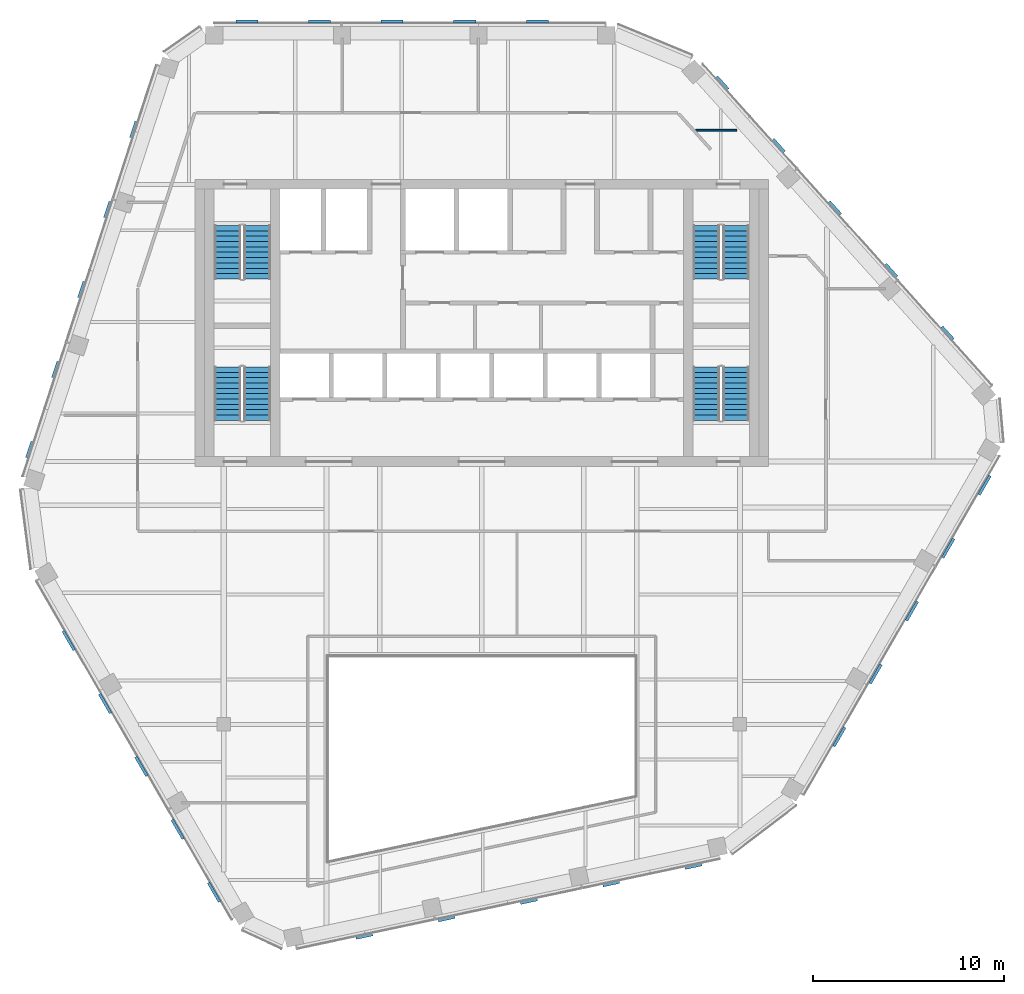
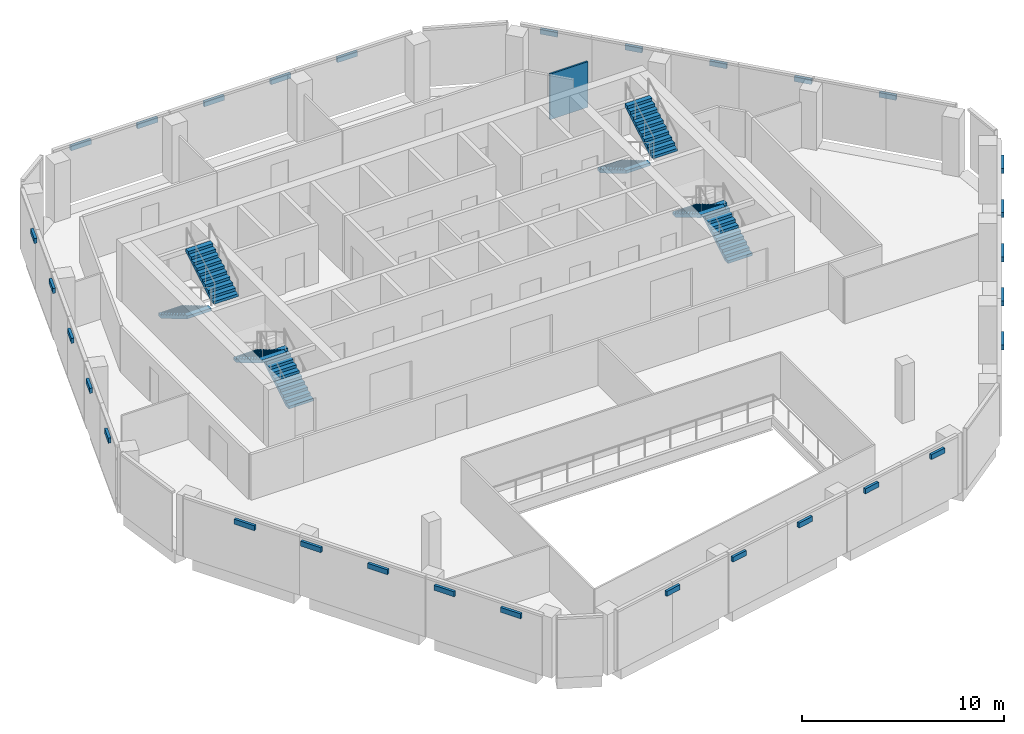
# One storey, part 10 of 15: 30 discrete accessories, 8 stair flights, 1 wall, 4 elements without a shape of their own.
"""IFC4 building model written with IfcOpenShell, lengths in metres."""

from ifc_helpers import new_model, si_unit, direction, frame, frame_2d, origin, origin_2d, place, context, subcontext, project, spatial, polyline, rectangle, outline, extrude, material, layer, layer_set, type_object, element, aggregate, save


model = new_model("IFC4")

# Units and contexts
model_context = context("Model", 3, precision=1e-05, world=origin(), true_north=direction((0.0, 1.0)))
body_context = subcontext(model_context, "Body", "Model", "MODEL_VIEW")
ifc_project = project(units=[si_unit("LENGTHUNIT", "METRE"), si_unit("AREAUNIT", "SQUARE_METRE"), si_unit("VOLUMEUNIT", "CUBIC_METRE"), si_unit("PLANEANGLEUNIT", "RADIAN"), si_unit("MASSUNIT", "GRAM", prefix="KILO")], contexts=[model_context])

# Site, building, storey
site_placement = place(None, origin())
site = spatial("IfcSite", under=ifc_project, at=site_placement, CompositionType="ELEMENT")
building_placement = place(site_placement, origin())
building = spatial("IfcBuilding", under=site, at=building_placement, Name="Isthmus Gate Tower", CompositionType="ELEMENT")
storey_placement = place(building_placement, frame((0.0, 0.0, 290.14990234375)))
storey = spatial("IfcBuildingStorey", under=building, at=storey_placement, Name="L74", CompositionType="ELEMENT", Elevation=290.14990234375)

# Wall
ifc_material_1 = material(Name="Gypsum board on steel studs, fire-rated", Category="steel")
ifc_layer = layer(ifc_material_1, 0.10009765625)
ifc_layer_set = layer_set([ifc_layer], Name="ROOM PARTITION 100 30 MIN")
wall_type = type_object("IfcWallType", Name="ROOM PARTITION 100 30 MIN", PredefinedType="PARTITIONING", material=ifc_layer_set)
wall_placement = place(storey_placement, frame((11.180908203125, 17.580078125, 0.0), z_axis=(0.0, 0.0, 1.0), x_axis=(1.0, 0.0, 0.0)))
element("IfcWall", 1, at=wall_placement, inside=storey, type_object=wall_type, Name="L74 Room Partition 100 30 Min", PredefinedType="PARTITIONING", context=body_context, shape_type="SweptSolid", body=[
    extrude(rectangle(XDim=2.156005859375, YDim=0.10009765625, at=frame_2d((1.078125, 0.0))), origin(), (0.0, 0.0, 1.0), 2.750732421875),
])

# Stair, stair flights
ifc_material_2 = material(Name="Concrete f'c 40 MPa", Category="concrete")
stair_type = type_object("IfcStairType", Name="CORE STAIR 22 RISERS", PredefinedType="HALF_TURN_STAIR", material=ifc_material_2)
stair_1_placement = place(storey_placement, origin())
stair_1 = element("IfcStair", 2, at=stair_1_placement, inside=storey, type_object=stair_type, Name="L74 Exit Stair 1", PredefinedType="HALF_TURN_STAIR")
ifc_material_3 = material(Name="Concrete f'c 40 MPa", Category="concrete")
stair_flight_type = type_object("IfcStairFlightType", Name="STAIR FLIGHT RC 1400", PredefinedType="STRAIGHT", material=ifc_material_3)
stair_flight_1_placement = place(storey_placement, frame((-13.300048828125, 12.60009765625, 0.0), z_axis=(0.0, 0.0, 1.0), x_axis=(0.0, -1.0, 0.0)))
stair_flight_1 = element("IfcStairFlight", 3, at=stair_flight_1_placement, type_object=stair_flight_type, Name="ST1 flight 1", NumberOfRisers=11, NumberOfTreads=10, PredefinedType="STRAIGHT", RiserHeight=0.165909091, TreadLength=0.28, context=body_context, shape_type="SweptSolid", body=[
    extrude(outline(polyline([(0.0, 0.0), (0.0, 0.166015625), (0.280029296875, 0.166015625), (0.280029296875, 0.331787109375), (0.56005859375, 0.331787109375), (0.56005859375, 0.497802734375), (0.840087890625, 0.497802734375), (0.840087890625, 0.66357421875), (1.1201171875, 0.66357421875), (1.1201171875, 0.82958984375), (1.39990234375, 0.82958984375), (1.39990234375, 0.995361328125), (1.679931640625, 0.995361328125), (1.679931640625, 1.161376953125), (1.9599609375, 1.161376953125), (1.9599609375, 1.327392578125), (2.239990234375, 1.327392578125), (2.239990234375, 1.4931640625), (2.52001953125, 1.4931640625), (2.52001953125, 1.6591796875), (2.800048828125, 1.6591796875), (2.800048828125, 1.824951171875), (2.800048828125, 1.48486328125), (0.2939453125, 0.0), (0.0, 0.0)])), frame((0.0, 0.699951171875, 0.0), z_axis=(0.0, -1.0, 0.0), x_axis=(1.0, 0.0, 0.0)), (0.0, 0.0, 1.0), 1.39990234375),
])
stair_flight_2_placement = place(storey_placement, frame((-11.75, 9.800048828125, 1.8251953125), z_axis=(0.0, 0.0, 1.0), x_axis=(0.0, 1.0, 0.0)))
stair_flight_2 = element("IfcStairFlight", 4, at=stair_flight_2_placement, type_object=stair_flight_type, Name="ST1 flight 2", NumberOfRisers=11, NumberOfTreads=10, PredefinedType="STRAIGHT", RiserHeight=0.165909091, TreadLength=0.28, context=body_context, shape_type="SweptSolid", body=[
    extrude(outline(polyline([(0.0, 0.0), (0.0, 0.166015625), (0.280029296875, 0.166015625), (0.280029296875, 0.331787109375), (0.56005859375, 0.331787109375), (0.56005859375, 0.497802734375), (0.840087890625, 0.497802734375), (0.840087890625, 0.66357421875), (1.1201171875, 0.66357421875), (1.1201171875, 0.82958984375), (1.39990234375, 0.82958984375), (1.39990234375, 0.995361328125), (1.679931640625, 0.995361328125), (1.679931640625, 1.161376953125), (1.9599609375, 1.161376953125), (1.9599609375, 1.327392578125), (2.239990234375, 1.327392578125), (2.239990234375, 1.4931640625), (2.52001953125, 1.4931640625), (2.52001953125, 1.6591796875), (2.800048828125, 1.6591796875), (2.800048828125, 1.824951171875), (2.800048828125, 1.48486328125), (0.2939453125, 0.0), (0.0, 0.0)])), frame((0.0, 0.699951171875, 0.0), z_axis=(0.0, -1.0, 0.0), x_axis=(1.0, 0.0, 0.0)), (0.0, 0.0, 1.0), 1.39990234375),
])
aggregate(stair_1, [stair_flight_1, stair_flight_2])

stair_2_placement = place(storey_placement, origin())
stair_2 = element("IfcStair", 5, at=stair_2_placement, inside=storey, type_object=stair_type, Name="L74 Exit Stair 2", PredefinedType="HALF_TURN_STAIR")
stair_flight_3_placement = place(storey_placement, frame((11.75, 12.60009765625, 0.0), z_axis=(0.0, 0.0, 1.0), x_axis=(0.0, -1.0, 0.0)))
stair_flight_3 = element("IfcStairFlight", 6, at=stair_flight_3_placement, type_object=stair_flight_type, Name="ST2 flight 1", NumberOfRisers=11, NumberOfTreads=10, PredefinedType="STRAIGHT", RiserHeight=0.165909091, TreadLength=0.28, context=body_context, shape_type="SweptSolid", body=[
    extrude(outline(polyline([(0.0, 0.0), (0.0, 0.166015625), (0.280029296875, 0.166015625), (0.280029296875, 0.331787109375), (0.56005859375, 0.331787109375), (0.56005859375, 0.497802734375), (0.840087890625, 0.497802734375), (0.840087890625, 0.66357421875), (1.1201171875, 0.66357421875), (1.1201171875, 0.82958984375), (1.39990234375, 0.82958984375), (1.39990234375, 0.995361328125), (1.679931640625, 0.995361328125), (1.679931640625, 1.161376953125), (1.9599609375, 1.161376953125), (1.9599609375, 1.327392578125), (2.239990234375, 1.327392578125), (2.239990234375, 1.4931640625), (2.52001953125, 1.4931640625), (2.52001953125, 1.6591796875), (2.800048828125, 1.6591796875), (2.800048828125, 1.824951171875), (2.800048828125, 1.48486328125), (0.2939453125, 0.0), (0.0, 0.0)])), frame((0.0, 0.699951171875, 0.0), z_axis=(0.0, -1.0, 0.0), x_axis=(1.0, 0.0, 0.0)), (0.0, 0.0, 1.0), 1.39990234375),
])
stair_flight_4_placement = place(storey_placement, frame((13.300048828125, 9.800048828125, 1.8251953125), z_axis=(0.0, 0.0, 1.0), x_axis=(0.0, 1.0, 0.0)))
stair_flight_4 = element("IfcStairFlight", 7, at=stair_flight_4_placement, type_object=stair_flight_type, Name="ST2 flight 2", NumberOfRisers=11, NumberOfTreads=10, PredefinedType="STRAIGHT", RiserHeight=0.165909091, TreadLength=0.28, context=body_context, shape_type="SweptSolid", body=[
    extrude(outline(polyline([(0.0, 0.0), (0.0, 0.166015625), (0.280029296875, 0.166015625), (0.280029296875, 0.331787109375), (0.56005859375, 0.331787109375), (0.56005859375, 0.497802734375), (0.840087890625, 0.497802734375), (0.840087890625, 0.66357421875), (1.1201171875, 0.66357421875), (1.1201171875, 0.82958984375), (1.39990234375, 0.82958984375), (1.39990234375, 0.995361328125), (1.679931640625, 0.995361328125), (1.679931640625, 1.161376953125), (1.9599609375, 1.161376953125), (1.9599609375, 1.327392578125), (2.239990234375, 1.327392578125), (2.239990234375, 1.4931640625), (2.52001953125, 1.4931640625), (2.52001953125, 1.6591796875), (2.800048828125, 1.6591796875), (2.800048828125, 1.824951171875), (2.800048828125, 1.48486328125), (0.2939453125, 0.0), (0.0, 0.0)])), frame((0.0, 0.699951171875, 0.0), z_axis=(0.0, -1.0, 0.0), x_axis=(1.0, 0.0, 0.0)), (0.0, 0.0, 1.0), 1.39990234375),
])
aggregate(stair_2, [stair_flight_3, stair_flight_4])

stair_3_placement = place(storey_placement, origin())
stair_3 = element("IfcStair", 8, at=stair_3_placement, inside=storey, type_object=stair_type, Name="L74 Exit Stair 7", PredefinedType="HALF_TURN_STAIR")
stair_flight_5_placement = place(storey_placement, frame((-11.75, 2.39990234375, 0.0), z_axis=(0.0, 0.0, 1.0), x_axis=(0.0, 1.0, 0.0)))
stair_flight_5 = element("IfcStairFlight", 9, at=stair_flight_5_placement, type_object=stair_flight_type, Name="ST7 flight 1", NumberOfRisers=11, NumberOfTreads=10, PredefinedType="STRAIGHT", RiserHeight=0.165909091, TreadLength=0.28, context=body_context, shape_type="SweptSolid", body=[
    extrude(outline(polyline([(0.0, 0.0), (0.0, 0.166015625), (0.280029296875, 0.166015625), (0.280029296875, 0.331787109375), (0.56005859375, 0.331787109375), (0.56005859375, 0.497802734375), (0.840087890625, 0.497802734375), (0.840087890625, 0.66357421875), (1.1201171875, 0.66357421875), (1.1201171875, 0.82958984375), (1.39990234375, 0.82958984375), (1.39990234375, 0.995361328125), (1.679931640625, 0.995361328125), (1.679931640625, 1.161376953125), (1.9599609375, 1.161376953125), (1.9599609375, 1.327392578125), (2.239990234375, 1.327392578125), (2.239990234375, 1.4931640625), (2.52001953125, 1.4931640625), (2.52001953125, 1.6591796875), (2.800048828125, 1.6591796875), (2.800048828125, 1.824951171875), (2.800048828125, 1.48486328125), (0.2939453125, 0.0), (0.0, 0.0)])), frame((0.0, 0.699951171875, 0.0), z_axis=(0.0, -1.0, 0.0), x_axis=(1.0, 0.0, 0.0)), (0.0, 0.0, 1.0), 1.39990234375),
])
stair_flight_6_placement = place(storey_placement, frame((-13.300048828125, 5.199951171875, 1.8251953125), z_axis=(0.0, 0.0, 1.0), x_axis=(0.0, -1.0, 0.0)))
stair_flight_6 = element("IfcStairFlight", 10, at=stair_flight_6_placement, type_object=stair_flight_type, Name="ST7 flight 2", NumberOfRisers=11, NumberOfTreads=10, PredefinedType="STRAIGHT", RiserHeight=0.165909091, TreadLength=0.28, context=body_context, shape_type="SweptSolid", body=[
    extrude(outline(polyline([(0.0, 0.0), (0.0, 0.166015625), (0.280029296875, 0.166015625), (0.280029296875, 0.331787109375), (0.56005859375, 0.331787109375), (0.56005859375, 0.497802734375), (0.840087890625, 0.497802734375), (0.840087890625, 0.66357421875), (1.1201171875, 0.66357421875), (1.1201171875, 0.82958984375), (1.39990234375, 0.82958984375), (1.39990234375, 0.995361328125), (1.679931640625, 0.995361328125), (1.679931640625, 1.161376953125), (1.9599609375, 1.161376953125), (1.9599609375, 1.327392578125), (2.239990234375, 1.327392578125), (2.239990234375, 1.4931640625), (2.52001953125, 1.4931640625), (2.52001953125, 1.6591796875), (2.800048828125, 1.6591796875), (2.800048828125, 1.824951171875), (2.800048828125, 1.48486328125), (0.2939453125, 0.0), (0.0, 0.0)])), frame((0.0, 0.699951171875, 0.0), z_axis=(0.0, -1.0, 0.0), x_axis=(1.0, 0.0, 0.0)), (0.0, 0.0, 1.0), 1.39990234375),
])
aggregate(stair_3, [stair_flight_5, stair_flight_6])

stair_4_placement = place(storey_placement, origin())
stair_4 = element("IfcStair", 11, at=stair_4_placement, inside=storey, type_object=stair_type, Name="L74 Exit Stair 8", PredefinedType="HALF_TURN_STAIR")
stair_flight_7_placement = place(storey_placement, frame((13.300048828125, 2.39990234375, 0.0), z_axis=(0.0, 0.0, 1.0), x_axis=(0.0, 1.0, 0.0)))
stair_flight_7 = element("IfcStairFlight", 12, at=stair_flight_7_placement, type_object=stair_flight_type, Name="ST8 flight 1", NumberOfRisers=11, NumberOfTreads=10, PredefinedType="STRAIGHT", RiserHeight=0.165909091, TreadLength=0.28, context=body_context, shape_type="SweptSolid", body=[
    extrude(outline(polyline([(0.0, 0.0), (0.0, 0.166015625), (0.280029296875, 0.166015625), (0.280029296875, 0.331787109375), (0.56005859375, 0.331787109375), (0.56005859375, 0.497802734375), (0.840087890625, 0.497802734375), (0.840087890625, 0.66357421875), (1.1201171875, 0.66357421875), (1.1201171875, 0.82958984375), (1.39990234375, 0.82958984375), (1.39990234375, 0.995361328125), (1.679931640625, 0.995361328125), (1.679931640625, 1.161376953125), (1.9599609375, 1.161376953125), (1.9599609375, 1.327392578125), (2.239990234375, 1.327392578125), (2.239990234375, 1.4931640625), (2.52001953125, 1.4931640625), (2.52001953125, 1.6591796875), (2.800048828125, 1.6591796875), (2.800048828125, 1.824951171875), (2.800048828125, 1.48486328125), (0.2939453125, 0.0), (0.0, 0.0)])), frame((0.0, 0.699951171875, 0.0), z_axis=(0.0, -1.0, 0.0), x_axis=(1.0, 0.0, 0.0)), (0.0, 0.0, 1.0), 1.39990234375),
])
stair_flight_8_placement = place(storey_placement, frame((11.75, 5.199951171875, 1.8251953125), z_axis=(0.0, 0.0, 1.0), x_axis=(0.0, -1.0, 0.0)))
stair_flight_8 = element("IfcStairFlight", 13, at=stair_flight_8_placement, type_object=stair_flight_type, Name="ST8 flight 2", NumberOfRisers=11, NumberOfTreads=10, PredefinedType="STRAIGHT", RiserHeight=0.165909091, TreadLength=0.28, context=body_context, shape_type="SweptSolid", body=[
    extrude(outline(polyline([(0.0, 0.0), (0.0, 0.166015625), (0.280029296875, 0.166015625), (0.280029296875, 0.331787109375), (0.56005859375, 0.331787109375), (0.56005859375, 0.497802734375), (0.840087890625, 0.497802734375), (0.840087890625, 0.66357421875), (1.1201171875, 0.66357421875), (1.1201171875, 0.82958984375), (1.39990234375, 0.82958984375), (1.39990234375, 0.995361328125), (1.679931640625, 0.995361328125), (1.679931640625, 1.161376953125), (1.9599609375, 1.161376953125), (1.9599609375, 1.327392578125), (2.239990234375, 1.327392578125), (2.239990234375, 1.4931640625), (2.52001953125, 1.4931640625), (2.52001953125, 1.6591796875), (2.800048828125, 1.6591796875), (2.800048828125, 1.824951171875), (2.800048828125, 1.48486328125), (0.2939453125, 0.0), (0.0, 0.0)])), frame((0.0, 0.699951171875, 0.0), z_axis=(0.0, -1.0, 0.0), x_axis=(1.0, 0.0, 0.0)), (0.0, 0.0, 1.0), 1.39990234375),
])
aggregate(stair_4, [stair_flight_7, stair_flight_8])

# Discrete accessories
ifc_material_4 = material(Name="Structural steel ASTM A572 Gr 50, white paint system", Category="steel")
discrete_accessory_type_1 = type_object("IfcDiscreteAccessoryType", Name="FIN BRACKET 1155 X 150 X 300", PredefinedType="BRACKET", material=ifc_material_4)
for number, where, z_axis, x_axis, name in (
    (14, (2.90771484375, 23.27490234375, 3.10009765625), (0.0, 0.0, 1.0), (0.0, 1.0, 0.0), "FIN BRACKET"),
    (15, (-0.892333984375, 23.27490234375, 3.10009765625), (0.0, 0.0, 1.0), (0.0, 1.0, 0.0), "FIN BRACKET"),
    (16, (-4.6923828125, 23.27490234375, 3.10009765625), (0.0, 0.0, 1.0), (0.0, 1.0, 0.0), "FIN BRACKET"),
    (17, (-8.492431640625, 23.27490234375, 3.10009765625), (0.0, 0.0, 1.0), (0.0, 1.0, 0.0), "FIN BRACKET"),
    (18, (-12.292236328125, 23.27490234375, 3.10009765625), (0.0, 0.0, 1.0), (0.0, 1.0, 0.0), "FIN BRACKET"),
    (19, (-21.610595703125, -9.119384765625, 3.10009765625), (0.0, 0.0, 1.0), (-0.866025403784, -0.5, 0.0), "FIN BRACKET"),
    (20, (-19.71044921875, -12.410400390625, 3.10009765625), (0.0, 0.0, 1.0), (-0.866025403784, -0.5, 0.0), "FIN BRACKET"),
    (21, (-17.810546875, -15.701171875, 3.10009765625), (0.0, 0.0, 1.0), (-0.866025403784, -0.5, 0.0), "FIN BRACKET"),
    (22, (-15.91064453125, -18.9921875, 3.10009765625), (0.0, 0.0, 1.0), (-0.866025403784, -0.5, 0.0), "FIN BRACKET"),
    (23, (-14.010498046875, -22.282958984375, 3.10009765625), (0.0, 0.0, 1.0), (-0.866025403784, -0.5, 0.0), "FIN BRACKET"),
    (24, (18.702880859375, -14.155517578125, 3.10009765625), (0.0, 0.0, 1.0), (0.866025403784, -0.5, 0.0), "FIN BRACKET"),
    (25, (20.60302734375, -10.86474609375, 3.10009765625), (0.0, 0.0, 1.0), (0.866025403784, -0.5, 0.0), "FIN BRACKET"),
    (26, (22.5029296875, -7.57373046875, 3.10009765625), (0.0, 0.0, 1.0), (0.866025403784, -0.5, 0.0), "FIN BRACKET"),
    (27, (24.40283203125, -4.282958984375, 3.10009765625), (0.0, 0.0, 1.0), (0.866025403784, -0.5, 0.0), "FIN BRACKET"),
    (28, (26.302978515625, -0.991943359375, 3.10009765625), (0.0, 0.0, 1.0), (0.866025403784, -0.5, 0.0), "FIN BRACKET"),
):
    element("IfcDiscreteAccessory", number, at=place(storey_placement, frame(where, z_axis=z_axis, x_axis=x_axis)), inside=storey, type_object=discrete_accessory_type_1, Name=name, PredefinedType="BRACKET", context=body_context, shape_type="SweptSolid", body=[
        extrude(rectangle(XDim=0.14990234375, YDim=1.15478515625, at=origin_2d()), origin(), (0.0, 0.0, 1.0), 0.300048828125),
    ])
ifc_material_5 = material(Name="Structural steel ASTM A572 Gr 50, white paint system", Category="steel")
discrete_accessory_type_2 = type_object("IfcDiscreteAccessoryType", Name="FIN BRACKET 890 X 150 X 300", PredefinedType="BRACKET", material=ifc_material_5)
for number, where, z_axis, x_axis, name in (
    (29, (-18.220947265625, 17.61474609375, 3.10009765625), (0.0, 0.0, 1.0), (-0.951056516295, 0.309016994375, 0.0), "FIN BRACKET"),
    (30, (-19.58056640625, 13.429931640625, 3.10009765625), (0.0, 0.0, 1.0), (-0.951056516295, 0.309016994375, 0.0), "FIN BRACKET"),
    (31, (-20.9404296875, 9.245361328125, 3.10009765625), (0.0, 0.0, 1.0), (-0.951056516295, 0.309016994375, 0.0), "FIN BRACKET"),
    (32, (-22.300048828125, 5.060791015625, 3.10009765625), (0.0, 0.0, 1.0), (-0.951056516295, 0.309016994375, 0.0), "FIN BRACKET"),
    (33, (-23.65966796875, 0.8759765625, 3.10009765625), (0.0, 0.0, 1.0), (-0.951056516295, 0.309016994375, 0.0), "FIN BRACKET"),
    (34, (-6.144287109375, -24.587158203125, 3.10009765625), (0.0, 0.0, 1.0), (0.207911690818, -0.978147600734, 0.0), "FIN BRACKET"),
    (35, (-1.84033203125, -23.67236328125, 3.10009765625), (0.0, 0.0, 1.0), (0.207911690818, -0.978147600734, 0.0), "FIN BRACKET"),
    (36, (2.46337890625, -22.757568359375, 3.10009765625), (0.0, 0.0, 1.0), (0.207911690818, -0.978147600734, 0.0), "FIN BRACKET"),
    (37, (6.767333984375, -21.8427734375, 3.10009765625), (0.0, 0.0, 1.0), (0.207911690818, -0.978147600734, 0.0), "FIN BRACKET"),
    (38, (11.071044921875, -20.927978515625, 3.10009765625), (0.0, 0.0, 1.0), (0.207911690818, -0.978147600734, 0.0), "FIN BRACKET"),
    (39, (24.365234375, 6.972412109375, 3.10009765625), (0.0, 0.0, 1.0), (0.743144825477, 0.669130606359, 0.0), "FIN BRACKET"),
    (40, (21.421142578125, 10.242431640625, 3.10009765625), (0.0, 0.0, 1.0), (0.743144825477, 0.669130606359, 0.0), "FIN BRACKET"),
    (41, (18.476806640625, 13.51220703125, 3.10009765625), (0.0, 0.0, 1.0), (0.743144825477, 0.669130606359, 0.0), "FIN BRACKET"),
    (42, (15.53271484375, 16.781982421875, 3.10009765625), (0.0, 0.0, 1.0), (0.743144825477, 0.669130606359, 0.0), "FIN BRACKET"),
    (43, (12.588623046875, 20.0517578125, 3.10009765625), (0.0, 0.0, 1.0), (0.743144825477, 0.669130606359, 0.0), "FIN BRACKET"),
):
    element("IfcDiscreteAccessory", number, at=place(storey_placement, frame(where, z_axis=z_axis, x_axis=x_axis)), inside=storey, type_object=discrete_accessory_type_2, Name=name, PredefinedType="BRACKET", context=body_context, shape_type="SweptSolid", body=[
        extrude(rectangle(XDim=0.14990234375, YDim=0.890380859375, at=origin_2d()), origin(), (0.0, 0.0, 1.0), 0.300048828125),
    ])

save(model, "model.ifc")
